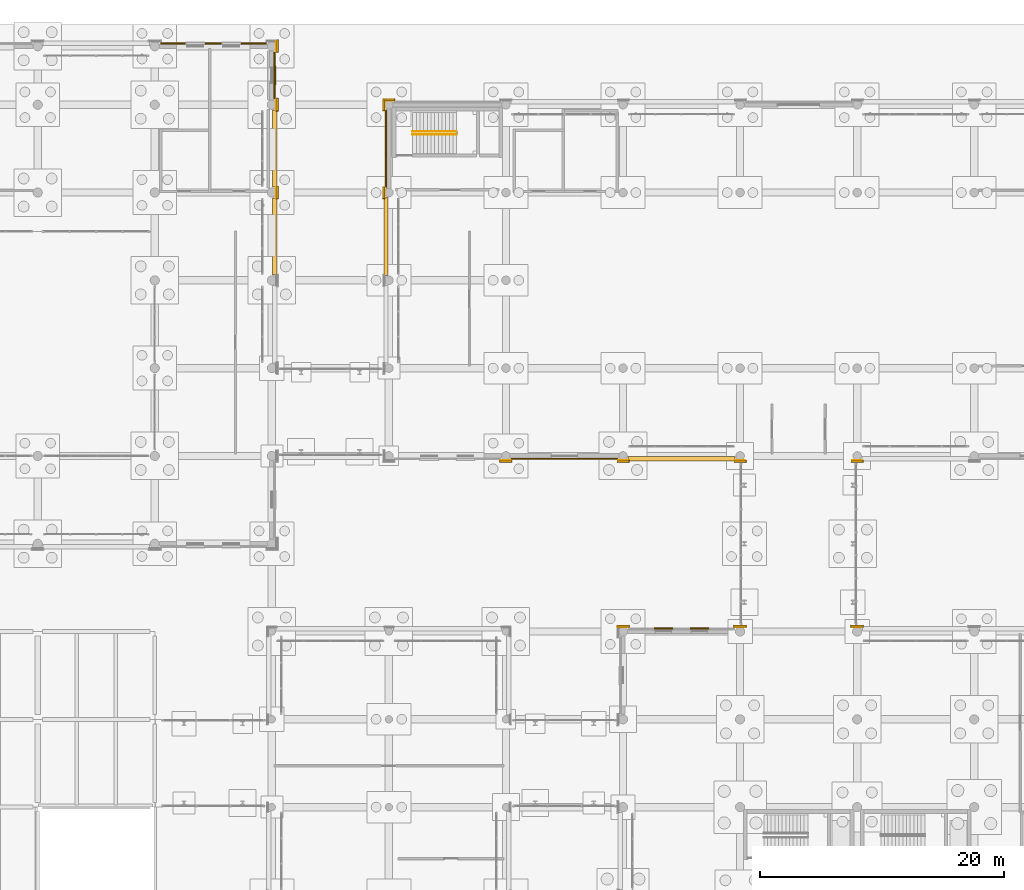
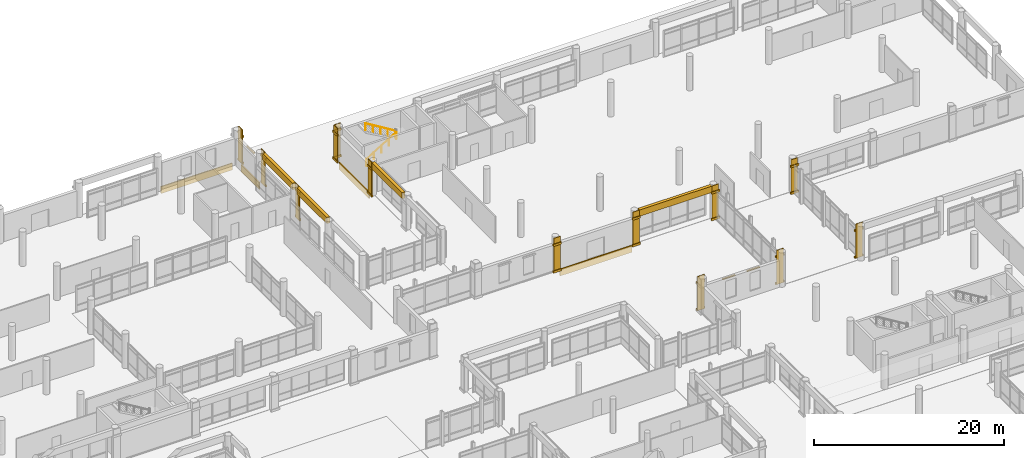
# One storey, part 188 of 196: 50 coverings, 2 railings.
"""IFC4 building model written with IfcOpenShell, lengths in metres."""

from ifc_helpers import new_model, si_unit, direction, frame, origin, origin_2d, place, context, subcontext, project, spatial, rectangle, circle, extrude, material, layer, layer_set, type_object, element, save


model = new_model("IFC4")

# Units and contexts
model_context = context("Model", 3, precision=1e-05, world=origin(), true_north=direction((0.0, 1.0)))
body_context = subcontext(model_context, "Body", "Model", "MODEL_VIEW")
ifc_project = project(units=[si_unit("LENGTHUNIT", "METRE"), si_unit("AREAUNIT", "SQUARE_METRE"), si_unit("VOLUMEUNIT", "CUBIC_METRE"), si_unit("PLANEANGLEUNIT", "RADIAN"), si_unit("MASSUNIT", "GRAM", prefix="KILO")], contexts=[model_context])

# Site, building, storey
site_placement = place(None, origin())
site = spatial("IfcSite", under=ifc_project, at=site_placement, CompositionType="ELEMENT")
building_placement = place(site_placement, origin())
building = spatial("IfcBuilding", under=site, at=building_placement, Name="Asteropetra Specialist Clinic", CompositionType="ELEMENT")
storey_placement = place(building_placement, origin())
storey = spatial("IfcBuildingStorey", under=building, at=storey_placement, Name="L00", CompositionType="ELEMENT", Elevation=0.0)

# Coverings
ifc_material_1 = material(Name="Pentelic marble ashlar", Category="masonry")
ifc_layer = layer(ifc_material_1, 0.159912109375)
ifc_layer_set = layer_set([ifc_layer], Name="Pentelic marble ashlar")
covering_type = type_object("IfcCoveringType", Name="CRN-ENTAB-600", PredefinedType="MOLDING", material=ifc_layer_set)
for number, where, z_axis, x_axis, name in (
    (1, (77.0400390625, 94.800048828125, 3.58984375), (0.0, 0.0, 1.0), (1.0, 0.0, 0.0), "Stoa Classical Entablature SE-0070"),
    (2, (77.0400390625, 102.0, 3.58984375), (0.0, 0.0, 1.0), (1.0, 0.0, 0.0), "Stoa Classical Entablature SE-0071"),
):
    element("IfcCovering", number, at=place(storey_placement, frame(where, z_axis=z_axis, x_axis=x_axis)), inside=storey, type_object=covering_type, Name=name, PredefinedType="MOLDING", context=body_context, shape_type="SweptSolid", body=[
        extrude(rectangle(XDim=0.360107421875, YDim=6.330078125, at=origin_2d()), origin(), (0.0, 0.0, 1.0), 0.820068359375),
    ])
covering_1_placement = place(storey_placement, frame((110.39990234375, 76.56005859375, 3.58984375), z_axis=(0.0, 0.0, 1.0), x_axis=(1.0, 0.0, 0.0)))
element("IfcCovering", 3, at=covering_1_placement, inside=storey, type_object=covering_type, Name="Stoa Classical Entablature SE-0088", PredefinedType="MOLDING", context=body_context, shape_type="SweptSolid", body=[
    extrude(rectangle(XDim=8.780029296875, YDim=0.360107421875, at=origin_2d()), origin(), (0.0, 0.0, 1.0), 0.820068359375),
])
covering_2_placement = place(storey_placement, frame((86.159912109375, 94.800048828125, 3.58984375), z_axis=(0.0, 0.0, 1.0), x_axis=(1.0, 0.0, 0.0)))
element("IfcCovering", 4, at=covering_2_placement, inside=storey, type_object=covering_type, Name="Stoa Classical Entablature SE-0095", PredefinedType="MOLDING", context=body_context, shape_type="SweptSolid", body=[
    extrude(rectangle(XDim=0.360107421875, YDim=6.3798828125, at=origin_2d()), origin(), (0.0, 0.0, 1.0), 0.820068359375),
])
covering_3_placement = place(storey_placement, frame((86.01806640625, 98.39990234375, 0.02001953125), z_axis=(0.0, 0.0, 1.0), x_axis=(1.0, 0.0, 0.0)))
element("IfcCovering", 5, at=covering_3_placement, inside=storey, type_object=covering_type, Name="Neoclassical Pilaster Facing CM-0109", PredefinedType="MOLDING", context=body_context, shape_type="SweptSolid", body=[
    extrude(rectangle(XDim=0.080078125, YDim=0.780029296875, at=origin_2d()), origin(), (0.0, 0.0, 1.0), 4.3798828125),
])
for number, where, z_axis, x_axis, name in (
    (6, (85.97802734375, 98.39990234375, 0.009765625), (0.0, 0.0, 1.0), (1.0, 0.0, 0.0), "Doric Base CC-0110"),
    (7, (85.97802734375, 98.39990234375, 3.43017578125), (0.0, 0.0, 1.0), (1.0, 0.0, 0.0), "Doric Capital CC-0111"),
):
    element("IfcCovering", number, at=place(storey_placement, frame(where, z_axis=z_axis, x_axis=x_axis)), inside=storey, type_object=covering_type, Name=name, PredefinedType="MOLDING", context=body_context, shape_type="SweptSolid", body=[
        extrude(rectangle(XDim=0.159912109375, YDim=0.97998046875, at=origin_2d()), origin(), (0.0, 0.0, 1.0), 0.260009765625),
    ])
covering_4_placement = place(storey_placement, frame((86.39990234375, 105.98193359375, 0.02001953125), z_axis=(0.0, 0.0, 1.0), x_axis=(1.0, 0.0, 0.0)))
element("IfcCovering", 8, at=covering_4_placement, inside=storey, type_object=covering_type, Name="Neoclassical Pilaster Facing CM-0112", PredefinedType="MOLDING", context=body_context, shape_type="SweptSolid", body=[
    extrude(rectangle(XDim=0.780029296875, YDim=0.080078125, at=origin_2d()), origin(), (0.0, 0.0, 1.0), 4.3798828125),
])
for number, where, z_axis, x_axis, name in (
    (9, (86.39990234375, 106.02197265625, 0.009765625), (0.0, 0.0, 1.0), (1.0, 0.0, 0.0), "Doric Base CC-0113"),
    (10, (86.39990234375, 106.02197265625, 3.43017578125), (0.0, 0.0, 1.0), (1.0, 0.0, 0.0), "Doric Capital CC-0114"),
):
    element("IfcCovering", number, at=place(storey_placement, frame(where, z_axis=z_axis, x_axis=x_axis)), inside=storey, type_object=covering_type, Name=name, PredefinedType="MOLDING", context=body_context, shape_type="SweptSolid", body=[
        extrude(rectangle(XDim=0.97998046875, YDim=0.159912109375, at=origin_2d()), origin(), (0.0, 0.0, 1.0), 0.260009765625),
    ])
covering_5_placement = place(storey_placement, frame((86.01806640625, 105.60009765625, 0.02001953125), z_axis=(0.0, 0.0, 1.0), x_axis=(1.0, 0.0, 0.0)))
element("IfcCovering", 11, at=covering_5_placement, inside=storey, type_object=covering_type, Name="Neoclassical Pilaster Facing CM-0115", PredefinedType="MOLDING", context=body_context, shape_type="SweptSolid", body=[
    extrude(rectangle(XDim=0.080078125, YDim=0.780029296875, at=origin_2d()), origin(), (0.0, 0.0, 1.0), 4.3798828125),
])
for number, where, z_axis, x_axis, name in (
    (12, (85.97802734375, 105.60009765625, 0.009765625), (0.0, 0.0, 1.0), (1.0, 0.0, 0.0), "Doric Base CC-0116"),
    (13, (85.97802734375, 105.60009765625, 3.43017578125), (0.0, 0.0, 1.0), (1.0, 0.0, 0.0), "Doric Capital CC-0117"),
):
    element("IfcCovering", number, at=place(storey_placement, frame(where, z_axis=z_axis, x_axis=x_axis)), inside=storey, type_object=covering_type, Name=name, PredefinedType="MOLDING", context=body_context, shape_type="SweptSolid", body=[
        extrude(rectangle(XDim=0.159912109375, YDim=0.97998046875, at=origin_2d()), origin(), (0.0, 0.0, 1.0), 0.260009765625),
    ])
covering_6_placement = place(storey_placement, frame((96.0, 76.41796875, 0.02001953125), z_axis=(0.0, 0.0, 1.0), x_axis=(1.0, 0.0, 0.0)))
element("IfcCovering", 14, at=covering_6_placement, inside=storey, type_object=covering_type, Name="Neoclassical Pilaster Facing CM-0118", PredefinedType="MOLDING", context=body_context, shape_type="SweptSolid", body=[
    extrude(rectangle(XDim=0.780029296875, YDim=0.080078125, at=origin_2d()), origin(), (0.0, 0.0, 1.0), 4.3798828125),
])
for number, where, z_axis, x_axis, name in (
    (15, (96.0, 76.3779296875, 0.009765625), (0.0, 0.0, 1.0), (1.0, 0.0, 0.0), "Doric Base CC-0119"),
    (16, (96.0, 76.3779296875, 3.43017578125), (0.0, 0.0, 1.0), (1.0, 0.0, 0.0), "Doric Capital CC-0120"),
):
    element("IfcCovering", number, at=place(storey_placement, frame(where, z_axis=z_axis, x_axis=x_axis)), inside=storey, type_object=covering_type, Name=name, PredefinedType="MOLDING", context=body_context, shape_type="SweptSolid", body=[
        extrude(rectangle(XDim=0.97998046875, YDim=0.159912109375, at=origin_2d()), origin(), (0.0, 0.0, 1.0), 0.260009765625),
    ])
covering_7_placement = place(storey_placement, frame((105.60009765625, 76.41796875, 0.02001953125), z_axis=(0.0, 0.0, 1.0), x_axis=(1.0, 0.0, 0.0)))
element("IfcCovering", 17, at=covering_7_placement, inside=storey, type_object=covering_type, Name="Neoclassical Pilaster Facing CM-0124", PredefinedType="MOLDING", context=body_context, shape_type="SweptSolid", body=[
    extrude(rectangle(XDim=0.780029296875, YDim=0.080078125, at=origin_2d()), origin(), (0.0, 0.0, 1.0), 4.3798828125),
])
for number, where, z_axis, x_axis, name in (
    (18, (105.60009765625, 76.3779296875, 0.009765625), (0.0, 0.0, 1.0), (1.0, 0.0, 0.0), "Doric Base CC-0125"),
    (19, (105.60009765625, 76.3779296875, 3.43017578125), (0.0, 0.0, 1.0), (1.0, 0.0, 0.0), "Doric Capital CC-0126"),
):
    element("IfcCovering", number, at=place(storey_placement, frame(where, z_axis=z_axis, x_axis=x_axis)), inside=storey, type_object=covering_type, Name=name, PredefinedType="MOLDING", context=body_context, shape_type="SweptSolid", body=[
        extrude(rectangle(XDim=0.97998046875, YDim=0.159912109375, at=origin_2d()), origin(), (0.0, 0.0, 1.0), 0.260009765625),
    ])
covering_8_placement = place(storey_placement, frame((115.199951171875, 76.41796875, 0.02001953125), z_axis=(0.0, 0.0, 1.0), x_axis=(1.0, 0.0, 0.0)))
element("IfcCovering", 20, at=covering_8_placement, inside=storey, type_object=covering_type, Name="Neoclassical Pilaster Facing CM-0130", PredefinedType="MOLDING", context=body_context, shape_type="SweptSolid", body=[
    extrude(rectangle(XDim=0.780029296875, YDim=0.080078125, at=origin_2d()), origin(), (0.0, 0.0, 1.0), 4.3798828125),
])
for number, where, z_axis, x_axis, name in (
    (21, (115.199951171875, 76.3779296875, 0.009765625), (0.0, 0.0, 1.0), (1.0, 0.0, 0.0), "Doric Base CC-0131"),
    (22, (115.199951171875, 76.3779296875, 3.43017578125), (0.0, 0.0, 1.0), (1.0, 0.0, 0.0), "Doric Capital CC-0132"),
):
    element("IfcCovering", number, at=place(storey_placement, frame(where, z_axis=z_axis, x_axis=x_axis)), inside=storey, type_object=covering_type, Name=name, PredefinedType="MOLDING", context=body_context, shape_type="SweptSolid", body=[
        extrude(rectangle(XDim=0.97998046875, YDim=0.159912109375, at=origin_2d()), origin(), (0.0, 0.0, 1.0), 0.260009765625),
    ])
covering_9_placement = place(storey_placement, frame((124.800048828125, 76.41796875, 0.02001953125), z_axis=(0.0, 0.0, 1.0), x_axis=(1.0, 0.0, 0.0)))
element("IfcCovering", 23, at=covering_9_placement, inside=storey, type_object=covering_type, Name="Neoclassical Pilaster Facing CM-0136", PredefinedType="MOLDING", context=body_context, shape_type="SweptSolid", body=[
    extrude(rectangle(XDim=0.780029296875, YDim=0.080078125, at=origin_2d()), origin(), (0.0, 0.0, 1.0), 4.3798828125),
])
for number, where, z_axis, x_axis, name in (
    (24, (124.800048828125, 76.3779296875, 0.009765625), (0.0, 0.0, 1.0), (1.0, 0.0, 0.0), "Doric Base CC-0137"),
    (25, (124.800048828125, 76.3779296875, 3.43017578125), (0.0, 0.0, 1.0), (1.0, 0.0, 0.0), "Doric Capital CC-0138"),
):
    element("IfcCovering", number, at=place(storey_placement, frame(where, z_axis=z_axis, x_axis=x_axis)), inside=storey, type_object=covering_type, Name=name, PredefinedType="MOLDING", context=body_context, shape_type="SweptSolid", body=[
        extrude(rectangle(XDim=0.97998046875, YDim=0.159912109375, at=origin_2d()), origin(), (0.0, 0.0, 1.0), 0.260009765625),
    ])
covering_10_placement = place(storey_placement, frame((77.20703125, 98.39990234375, 0.02001953125), z_axis=(0.0, 0.0, 1.0), x_axis=(1.0, 0.0, 0.0)))
element("IfcCovering", 26, at=covering_10_placement, inside=storey, type_object=covering_type, Name="Neoclassical Pilaster Facing CM-0541", PredefinedType="MOLDING", context=body_context, shape_type="SweptSolid", body=[
    extrude(rectangle(XDim=0.080078125, YDim=0.830078125, at=origin_2d()), origin(), (0.0, 0.0, 1.0), 4.3798828125),
])
for number, where, z_axis, x_axis, name in (
    (27, (77.2470703125, 98.39990234375, 0.009765625), (0.0, 0.0, 1.0), (1.0, 0.0, 0.0), "Doric Base CC-0542"),
    (28, (77.2470703125, 98.39990234375, 3.43017578125), (0.0, 0.0, 1.0), (1.0, 0.0, 0.0), "Doric Capital CC-0543"),
):
    element("IfcCovering", number, at=place(storey_placement, frame(where, z_axis=z_axis, x_axis=x_axis)), inside=storey, type_object=covering_type, Name=name, PredefinedType="MOLDING", context=body_context, shape_type="SweptSolid", body=[
        extrude(rectangle(XDim=0.159912109375, YDim=1.030029296875, at=origin_2d()), origin(), (0.0, 0.0, 1.0), 0.260009765625),
    ])
covering_11_placement = place(storey_placement, frame((77.20703125, 105.60009765625, 0.02001953125), z_axis=(0.0, 0.0, 1.0), x_axis=(1.0, 0.0, 0.0)))
element("IfcCovering", 29, at=covering_11_placement, inside=storey, type_object=covering_type, Name="Neoclassical Pilaster Facing CM-0544", PredefinedType="MOLDING", context=body_context, shape_type="SweptSolid", body=[
    extrude(rectangle(XDim=0.080078125, YDim=0.830078125, at=origin_2d()), origin(), (0.0, 0.0, 1.0), 4.3798828125),
])
for number, where, z_axis, x_axis, name in (
    (30, (77.2470703125, 105.60009765625, 0.009765625), (0.0, 0.0, 1.0), (1.0, 0.0, 0.0), "Doric Base CC-0545"),
    (31, (77.2470703125, 105.60009765625, 3.43017578125), (0.0, 0.0, 1.0), (1.0, 0.0, 0.0), "Doric Capital CC-0546"),
):
    element("IfcCovering", number, at=place(storey_placement, frame(where, z_axis=z_axis, x_axis=x_axis)), inside=storey, type_object=covering_type, Name=name, PredefinedType="MOLDING", context=body_context, shape_type="SweptSolid", body=[
        extrude(rectangle(XDim=0.159912109375, YDim=1.030029296875, at=origin_2d()), origin(), (0.0, 0.0, 1.0), 0.260009765625),
    ])
covering_12_placement = place(storey_placement, frame((77.20703125, 110.39990234375, 0.02001953125), z_axis=(0.0, 0.0, 1.0), x_axis=(1.0, 0.0, 0.0)))
element("IfcCovering", 32, at=covering_12_placement, inside=storey, type_object=covering_type, Name="Neoclassical Pilaster Facing CM-0550", PredefinedType="MOLDING", context=body_context, shape_type="SweptSolid", body=[
    extrude(rectangle(XDim=0.080078125, YDim=0.830078125, at=origin_2d()), origin(), (0.0, 0.0, 1.0), 4.3798828125),
])
for number, where, z_axis, x_axis, name in (
    (33, (77.2470703125, 110.39990234375, 0.009765625), (0.0, 0.0, 1.0), (1.0, 0.0, 0.0), "Doric Base CC-0551"),
    (34, (77.2470703125, 110.39990234375, 3.43017578125), (0.0, 0.0, 1.0), (1.0, 0.0, 0.0), "Doric Capital CC-0552"),
):
    element("IfcCovering", number, at=place(storey_placement, frame(where, z_axis=z_axis, x_axis=x_axis)), inside=storey, type_object=covering_type, Name=name, PredefinedType="MOLDING", context=body_context, shape_type="SweptSolid", body=[
        extrude(rectangle(XDim=0.159912109375, YDim=1.030029296875, at=origin_2d()), origin(), (0.0, 0.0, 1.0), 0.260009765625),
    ])
covering_13_placement = place(storey_placement, frame((105.60009765625, 62.806884765625, 0.02001953125), z_axis=(0.0, 0.0, 1.0), x_axis=(1.0, 0.0, 0.0)))
element("IfcCovering", 35, at=covering_13_placement, inside=storey, type_object=covering_type, Name="Neoclassical Pilaster Facing CM-0947", PredefinedType="MOLDING", context=body_context, shape_type="SweptSolid", body=[
    extrude(rectangle(XDim=0.830078125, YDim=0.080078125, at=origin_2d()), origin(), (0.0, 0.0, 1.0), 4.3798828125),
])
for number, where, z_axis, x_axis, name in (
    (36, (105.60009765625, 62.846923828125, 0.009765625), (0.0, 0.0, 1.0), (1.0, 0.0, 0.0), "Doric Base CC-0948"),
    (37, (105.60009765625, 62.846923828125, 3.43017578125), (0.0, 0.0, 1.0), (1.0, 0.0, 0.0), "Doric Capital CC-0949"),
):
    element("IfcCovering", number, at=place(storey_placement, frame(where, z_axis=z_axis, x_axis=x_axis)), inside=storey, type_object=covering_type, Name=name, PredefinedType="MOLDING", context=body_context, shape_type="SweptSolid", body=[
        extrude(rectangle(XDim=1.030029296875, YDim=0.159912109375, at=origin_2d()), origin(), (0.0, 0.0, 1.0), 0.260009765625),
    ])
covering_14_placement = place(storey_placement, frame((115.199951171875, 62.806884765625, 0.02001953125), z_axis=(0.0, 0.0, 1.0), x_axis=(1.0, 0.0, 0.0)))
element("IfcCovering", 38, at=covering_14_placement, inside=storey, type_object=covering_type, Name="Neoclassical Pilaster Facing CM-0956", PredefinedType="MOLDING", context=body_context, shape_type="SweptSolid", body=[
    extrude(rectangle(XDim=0.830078125, YDim=0.080078125, at=origin_2d()), origin(), (0.0, 0.0, 1.0), 4.3798828125),
])
for number, where, z_axis, x_axis, name in (
    (39, (115.199951171875, 62.846923828125, 0.009765625), (0.0, 0.0, 1.0), (1.0, 0.0, 0.0), "Doric Base CC-0957"),
    (40, (115.199951171875, 62.846923828125, 3.43017578125), (0.0, 0.0, 1.0), (1.0, 0.0, 0.0), "Doric Capital CC-0958"),
):
    element("IfcCovering", number, at=place(storey_placement, frame(where, z_axis=z_axis, x_axis=x_axis)), inside=storey, type_object=covering_type, Name=name, PredefinedType="MOLDING", context=body_context, shape_type="SweptSolid", body=[
        extrude(rectangle(XDim=1.030029296875, YDim=0.159912109375, at=origin_2d()), origin(), (0.0, 0.0, 1.0), 0.260009765625),
    ])
covering_15_placement = place(storey_placement, frame((124.800048828125, 62.806884765625, 0.02001953125), z_axis=(0.0, 0.0, 1.0), x_axis=(1.0, 0.0, 0.0)))
element("IfcCovering", 41, at=covering_15_placement, inside=storey, type_object=covering_type, Name="Neoclassical Pilaster Facing CM-0962", PredefinedType="MOLDING", context=body_context, shape_type="SweptSolid", body=[
    extrude(rectangle(XDim=0.830078125, YDim=0.080078125, at=origin_2d()), origin(), (0.0, 0.0, 1.0), 4.3798828125),
])
for number, where, z_axis, x_axis, name in (
    (42, (124.800048828125, 62.846923828125, 0.009765625), (0.0, 0.0, 1.0), (1.0, 0.0, 0.0), "Doric Base CC-0963"),
    (43, (124.800048828125, 62.846923828125, 3.43017578125), (0.0, 0.0, 1.0), (1.0, 0.0, 0.0), "Doric Capital CC-0964"),
):
    element("IfcCovering", number, at=place(storey_placement, frame(where, z_axis=z_axis, x_axis=x_axis)), inside=storey, type_object=covering_type, Name=name, PredefinedType="MOLDING", context=body_context, shape_type="SweptSolid", body=[
        extrude(rectangle(XDim=1.030029296875, YDim=0.159912109375, at=origin_2d()), origin(), (0.0, 0.0, 1.0), 0.260009765625),
    ])
covering_16_placement = place(storey_placement, frame((100.800048828125, 76.570068359375, -0.800048828125), z_axis=(0.0, 0.0, 1.0), x_axis=(1.0, 0.0, 0.0)))
element("IfcCovering", 44, at=covering_16_placement, inside=storey, type_object=covering_type, Name="Chevron Spandrel Band CV-1193", PredefinedType="MOLDING", context=body_context, shape_type="SweptSolid", body=[
    extrude(rectangle(XDim=8.699951171875, YDim=0.1201171875, at=origin_2d()), origin(), (0.0, 0.0, 1.0), 0.8798828125),
])
covering_17_placement = place(storey_placement, frame((86.169921875, 102.0, -0.800048828125), z_axis=(0.0, 0.0, 1.0), x_axis=(1.0, 0.0, 0.0)))
element("IfcCovering", 45, at=covering_17_placement, inside=storey, type_object=covering_type, Name="Chevron Spandrel Band CV-1201", PredefinedType="MOLDING", context=body_context, shape_type="SweptSolid", body=[
    extrude(rectangle(XDim=0.1201171875, YDim=6.300048828125, at=origin_2d()), origin(), (0.0, 0.0, 1.0), 0.8798828125),
])
covering_18_placement = place(storey_placement, frame((72.0, 110.6298828125, -0.800048828125), z_axis=(0.0, 0.0, 1.0), x_axis=(1.0, 0.0, 0.0)))
element("IfcCovering", 46, at=covering_18_placement, inside=storey, type_object=covering_type, Name="Chevron Spandrel Band CV-1397", PredefinedType="MOLDING", context=body_context, shape_type="SweptSolid", body=[
    extrude(rectangle(XDim=8.64990234375, YDim=0.1201171875, at=origin_2d()), origin(), (0.0, 0.0, 1.0), 0.8798828125),
])
covering_19_placement = place(storey_placement, frame((77.06005859375, 108.0, 3.05029296875), z_axis=(0.0, 0.0, 1.0), x_axis=(1.0, 0.0, 0.0)))
element("IfcCovering", 47, at=covering_19_placement, inside=storey, type_object=covering_type, Name="Classical Window Hood WH-1406", PredefinedType="MOLDING", context=body_context, shape_type="SweptSolid", body=[
    extrude(rectangle(XDim=0.159912109375, YDim=1.5400390625, at=origin_2d()), origin(), (0.0, 0.0, 1.0), 0.139892578125),
])
covering_20_placement = place(storey_placement, frame((77.030029296875, 108.0, -0.800048828125), z_axis=(0.0, 0.0, 1.0), x_axis=(1.0, 0.0, 0.0)))
element("IfcCovering", 48, at=covering_20_placement, inside=storey, type_object=covering_type, Name="Chevron Spandrel Band CV-1407", PredefinedType="MOLDING", context=body_context, shape_type="SweptSolid", body=[
    extrude(rectangle(XDim=0.1201171875, YDim=3.85009765625, at=origin_2d()), origin(), (0.0, 0.0, 1.0), 0.8798828125),
])
for number, where, z_axis, x_axis, name in (
    (49, (111.875, 62.64990234375, 3.05029296875), (0.0, 0.0, 1.0), (1.0, 0.0, 0.0), "Classical Window Hood WH-1991"),
    (50, (108.925048828125, 62.64990234375, 3.05029296875), (0.0, 0.0, 1.0), (1.0, 0.0, 0.0), "Classical Window Hood WH-1992"),
):
    element("IfcCovering", number, at=place(storey_placement, frame(where, z_axis=z_axis, x_axis=x_axis)), inside=storey, type_object=covering_type, Name=name, PredefinedType="MOLDING", context=body_context, shape_type="SweptSolid", body=[
        extrude(rectangle(XDim=1.5400390625, YDim=0.159912109375, at=origin_2d()), origin(), (0.0, 0.0, 1.0), 0.139892578125),
    ])

# Railings
ifc_material_2 = material(Name="Brushed stainless steel handrail", Category="steel")
railing_type = type_object("IfcRailingType", Name="HRL-STAIR-920", PredefinedType="HANDRAIL", material=ifc_material_2)
railing_1_placement = place(storey_placement, frame((88.35009765625, 103.169921875, 0.0)))
element("IfcRailing", 51, at=railing_1_placement, inside=storey, type_object=railing_type, Name="Stair Handrail ST11-L00 F1", PredefinedType="HANDRAIL", context=body_context, shape_type="SweptSolid", body=[
    extrude(circle(Radius=0.02392578125, at=origin_2d()), frame((0.0, 0.0, 0.89599609375), z_axis=(0.852221410125, 0.0, 0.523181295656), x_axis=(0.0, 1.0, 0.0)), (0.0, 0.0, 1.0), 4.22412109375),
    extrude(circle(Radius=0.02099609375, at=origin_2d()), origin(), (0.0, 0.0, 1.0), 0.871826171875),
    extrude(circle(Radius=0.02099609375, at=origin_2d()), frame((0.89990234375, 0.0, 0.552490234375)), (0.0, 0.0, 1.0), 0.871826171875),
    extrude(circle(Radius=0.02099609375, at=origin_2d()), frame((1.7998046875, 0.0, 1.10498046875)), (0.0, 0.0, 1.0), 0.871826171875),
    extrude(circle(Radius=0.02099609375, at=origin_2d()), frame((2.699951171875, 0.0, 1.657470703125)), (0.0, 0.0, 1.0), 0.871826171875),
    extrude(circle(Radius=0.02099609375, at=origin_2d()), frame((3.599853515625, 0.0, 2.2099609375)), (0.0, 0.0, 1.0), 0.871826171875),
])
railing_2_placement = place(storey_placement, frame((91.949951171875, 103.409912109375, 2.2099609375)))
element("IfcRailing", 52, at=railing_2_placement, inside=storey, type_object=railing_type, Name="Stair Handrail ST11-L00 F2", PredefinedType="HANDRAIL", context=body_context, shape_type="SweptSolid", body=[
    extrude(circle(Radius=0.02392578125, at=origin_2d()), frame((0.0, 0.0, 0.89599609375), z_axis=(-0.852221410125, 0.0, 0.523181295656), x_axis=(0.0, -1.0, 0.0)), (0.0, 0.0, 1.0), 4.22412109375),
    extrude(circle(Radius=0.02099609375, at=origin_2d()), origin(), (0.0, 0.0, 1.0), 0.871826171875),
    extrude(circle(Radius=0.02099609375, at=origin_2d()), frame((-0.89990234375, 0.0, 0.552490234375)), (0.0, 0.0, 1.0), 0.871826171875),
    extrude(circle(Radius=0.02099609375, at=origin_2d()), frame((-1.7998046875, 0.0, 1.10498046875)), (0.0, 0.0, 1.0), 0.871826171875),
    extrude(circle(Radius=0.02099609375, at=origin_2d()), frame((-2.699951171875, 0.0, 1.657470703125)), (0.0, 0.0, 1.0), 0.871826171875),
    extrude(circle(Radius=0.02099609375, at=origin_2d()), frame((-3.599853515625, 0.0, 2.2099609375)), (0.0, 0.0, 1.0), 0.871826171875),
])

save(model, "model.ifc")
